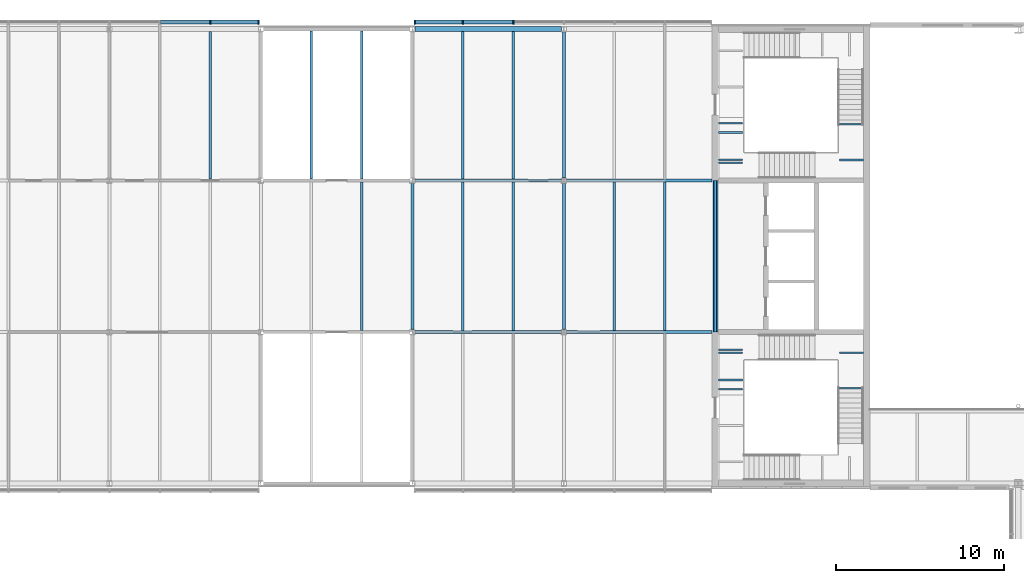
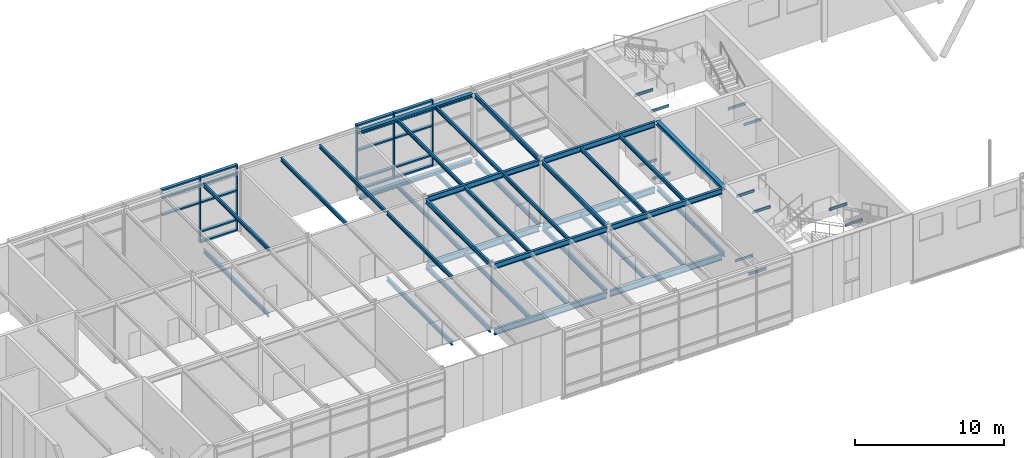
# One storey, part 16 of 46: 48 beams, 23 members, 2 elements without a shape of their own.
"""IFC4 building model written with IfcOpenShell, lengths in metres."""

from ifc_helpers import new_model, si_unit, direction, frame, origin, origin_2d, place, context, subcontext, project, spatial, rectangle, i_section, extrude, material, material_profile, profile_set, type_object, element, aggregate, save


model = new_model("IFC4")

# Units and contexts
model_context = context("Model", 3, precision=1e-05, world=origin(), true_north=direction((0.0, 1.0)))
body_context = subcontext(model_context, "Body", "Model", "MODEL_VIEW")
ifc_project = project(units=[si_unit("LENGTHUNIT", "METRE"), si_unit("AREAUNIT", "SQUARE_METRE"), si_unit("VOLUMEUNIT", "CUBIC_METRE"), si_unit("PLANEANGLEUNIT", "RADIAN"), si_unit("MASSUNIT", "GRAM", prefix="KILO")], contexts=[model_context])

# Site, building, storey
site_placement = place(None, origin())
site = spatial("IfcSite", under=ifc_project, at=site_placement, CompositionType="ELEMENT")
building_placement = place(site_placement, origin())
building = spatial("IfcBuilding", under=site, at=building_placement, Name="Azimuth Sports and Learning Centre", CompositionType="ELEMENT")
storey_placement = place(building_placement, frame((0.0, 0.0, 21.60009765625)))
storey = spatial("IfcBuildingStorey", under=building, at=storey_placement, Name="L04", CompositionType="ELEMENT", Elevation=21.60009765625)

# Beams
ifc_material_1 = material(Name="Steel S355", Category="steel")
ifc_material_profile_1 = material_profile(ifc_material_1, i_section(OverallWidth=0.10009765625, OverallDepth=0.199951171875, WebThickness=0.005615234375, FlangeThickness=0.008544921875, FilletRadius=0.011962890625, at=origin_2d()), Name="IPE 200")
ifc_profile_set_1 = profile_set([ifc_material_profile_1], Name="Steel S355")
beam_type_1 = type_object("IfcBeamType", Name="Beam IPE 200", PredefinedType="BEAM", material=ifc_profile_set_1)
for number, where, z_axis, x_axis, name in (
    (1, (54.199951171875, 96.1474609375, -0.300048828125), (1.0, 0.0, 0.0), (0.0, 1.0, 0.0), "Landing bracket W1 L04 35"),
    (2, (54.199951171875, 97.9423828125, -0.300048828125), (1.0, 0.0, 0.0), (0.0, 1.0, 0.0), "Landing bracket W1 L04 36"),
    (3, (62.800048828125, 95.652587890625, 1.5), (-1.0, 0.0, 0.0), (0.0, -1.0, 0.0), "Landing bracket W1 L04 37"),
    (4, (62.800048828125, 97.777587890625, 1.5), (-1.0, 0.0, 0.0), (0.0, -1.0, 0.0), "Landing bracket W1 L04 38"),
    (5, (54.199951171875, 95.603759765625, 5.099853515625), (1.0, 0.0, 0.0), (0.0, 1.0, 0.0), "Landing bracket W1 L04 44"),
    (6, (54.199951171875, 97.76123046875, 5.099853515625), (1.0, 0.0, 0.0), (0.0, 1.0, 0.0), "Landing bracket W1 L04 45"),
    (7, (54.199951171875, 109.0576171875, -0.300048828125), (1.0, 0.0, 0.0), (0.0, 1.0, 0.0), "Landing bracket W2 L04 213"),
    (8, (54.199951171875, 110.8525390625, -0.300048828125), (1.0, 0.0, 0.0), (0.0, 1.0, 0.0), "Landing bracket W2 L04 214"),
    (9, (62.800048828125, 109.222412109375, 1.5), (-1.0, 0.0, 0.0), (0.0, -1.0, 0.0), "Landing bracket W2 L04 215"),
    (10, (62.800048828125, 111.347412109375, 1.5), (-1.0, 0.0, 0.0), (0.0, -1.0, 0.0), "Landing bracket W2 L04 216"),
    (11, (54.199951171875, 109.23876953125, 5.099853515625), (1.0, 0.0, 0.0), (0.0, 1.0, 0.0), "Landing bracket W2 L04 220"),
    (12, (54.199951171875, 111.396240234375, 5.099853515625), (1.0, 0.0, 0.0), (0.0, 1.0, 0.0), "Landing bracket W2 L04 221"),
):
    element("IfcBeam", number, at=place(storey_placement, frame(where, z_axis=z_axis, x_axis=x_axis)), inside=storey, type_object=beam_type_1, Name=name, PredefinedType="BEAM", context=body_context, shape_type="SweptSolid", body=[
        extrude(i_section(OverallWidth=0.10009765625, OverallDepth=0.199951171875, WebThickness=0.005615234375, FlangeThickness=0.008544921875, FilletRadius=0.011962890625, at=origin_2d()), origin(), (0.0, 0.0, 1.0), 1.41015625),
    ])
ifc_material_2 = material(Name="Steel S355", Category="steel")
ifc_material_profile_2 = material_profile(ifc_material_2, i_section(OverallWidth=0.169921875, OverallDepth=0.360107421875, WebThickness=0.008056640625, FlangeThickness=0.0126953125, FilletRadius=0.01806640625, at=origin_2d()), Name="IPE 360")
ifc_profile_set_2 = profile_set([ifc_material_profile_2], Name="Steel S355")
beam_type_2 = type_object("IfcBeamType", Name="Beam IPE 360", PredefinedType="BEAM", material=ifc_profile_set_2)
for number, where, z_axis, x_axis, name in (
    (13, (36.0, 99.179931640625, -0.330078125), (0.0, 1.0, 0.0), (-1.0, 0.0, 0.0), "Beam L04 WW 22"),
    (14, (45.0, 99.179931640625, -0.330078125), (0.0, 1.0, 0.0), (-1.0, 0.0, 0.0), "Beam L04 WW 24"),
    (15, (45.0, 108.179931640625, -0.330078125), (0.0, 1.0, 0.0), (-1.0, 0.0, 0.0), "Beam L04 WW 25"),
):
    element("IfcBeam", number, at=place(storey_placement, frame(where, z_axis=z_axis, x_axis=x_axis)), inside=storey, type_object=beam_type_2, Name=name, PredefinedType="BEAM", context=body_context, shape_type="SweptSolid", body=[
        extrude(i_section(OverallWidth=0.169921875, OverallDepth=0.360107421875, WebThickness=0.008056640625, FlangeThickness=0.0126953125, FilletRadius=0.01806640625, at=origin_2d()), origin(), (0.0, 0.0, 1.0), 8.64013671875),
    ])
beam_1_placement = place(storey_placement, frame((54.0, 99.0, -0.330078125), z_axis=(0.0, 1.0, 0.0), x_axis=(-1.0, 0.0, 0.0)))
element("IfcBeam", 16, at=beam_1_placement, inside=storey, type_object=beam_type_2, Name="Beam L04 WW 26", PredefinedType="BEAM", context=body_context, shape_type="SweptSolid", body=[
    extrude(i_section(OverallWidth=0.169921875, OverallDepth=0.360107421875, WebThickness=0.008056640625, FlangeThickness=0.0126953125, FilletRadius=0.01806640625, at=origin_2d()), origin(), (0.0, 0.0, 1.0), 9.0),
])
for number, where, z_axis, x_axis, name in (
    (17, (36.0, 99.14990234375, 5.02001953125), (0.0, 1.0, 0.0), (-1.0, 0.0, 0.0), "Beam L04 TE 22"),
    (18, (45.0, 99.14990234375, 5.02001953125), (0.0, 1.0, 0.0), (-1.0, 0.0, 0.0), "Beam L04 TE 24"),
    (19, (45.0, 108.14990234375, 5.02001953125), (0.0, 1.0, 0.0), (-1.0, 0.0, 0.0), "Beam L04 TE 25"),
):
    element("IfcBeam", number, at=place(storey_placement, frame(where, z_axis=z_axis, x_axis=x_axis)), inside=storey, type_object=beam_type_2, Name=name, PredefinedType="BEAM", context=body_context, shape_type="SweptSolid", body=[
        extrude(i_section(OverallWidth=0.169921875, OverallDepth=0.360107421875, WebThickness=0.008056640625, FlangeThickness=0.0126953125, FilletRadius=0.01806640625, at=origin_2d()), origin(), (0.0, 0.0, 1.0), 8.7001953125),
    ])
ifc_material_3 = material(Name="Steel S355", Category="steel")
ifc_material_profile_3 = material_profile(ifc_material_3, i_section(OverallWidth=0.18994140625, OverallDepth=0.449951171875, WebThickness=0.009521484375, FlangeThickness=0.0146484375, FilletRadius=0.02099609375, at=origin_2d()), Name="IPE 450")
ifc_profile_set_3 = profile_set([ifc_material_profile_3], Name="Steel S355")
beam_type_3 = type_object("IfcBeamType", Name="Beam IPE 450", PredefinedType="BEAM", material=ifc_profile_set_3)
beam_2_placement = place(storey_placement, frame((36.14990234375, 99.0, 4.974853515625), z_axis=(1.0, 0.0, 0.0), x_axis=(0.0, 1.0, 0.0)))
element("IfcBeam", 20, at=beam_2_placement, inside=storey, type_object=beam_type_3, Name="Beam L04 TE 7", PredefinedType="BEAM", context=body_context, shape_type="SweptSolid", body=[
    extrude(i_section(OverallWidth=0.18994140625, OverallDepth=0.449951171875, WebThickness=0.009521484375, FlangeThickness=0.0146484375, FilletRadius=0.02099609375, at=origin_2d()), origin(), (0.0, 0.0, 1.0), 8.7001953125),
])
beam_3_placement = place(storey_placement, frame((45.14990234375, 99.0, 4.974853515625), z_axis=(1.0, 0.0, 0.0), x_axis=(0.0, 1.0, 0.0)))
element("IfcBeam", 21, at=beam_3_placement, inside=storey, type_object=beam_type_3, Name="Beam L04 TE 8", PredefinedType="BEAM", context=body_context, shape_type="SweptSolid", body=[
    extrude(i_section(OverallWidth=0.18994140625, OverallDepth=0.449951171875, WebThickness=0.009521484375, FlangeThickness=0.0146484375, FilletRadius=0.02099609375, at=origin_2d()), origin(), (0.0, 0.0, 1.0), 8.650146484375),
])
beam_4_placement = place(storey_placement, frame((36.14990234375, 108.0, 4.974853515625), z_axis=(1.0, 0.0, 0.0), x_axis=(0.0, 1.0, 0.0)))
element("IfcBeam", 22, at=beam_4_placement, inside=storey, type_object=beam_type_3, Name="Beam L04 TE 11", PredefinedType="BEAM", context=body_context, shape_type="SweptSolid", body=[
    extrude(i_section(OverallWidth=0.18994140625, OverallDepth=0.449951171875, WebThickness=0.009521484375, FlangeThickness=0.0146484375, FilletRadius=0.02099609375, at=origin_2d()), origin(), (0.0, 0.0, 1.0), 8.7001953125),
])
beam_5_placement = place(storey_placement, frame((45.14990234375, 108.0, 4.974853515625), z_axis=(1.0, 0.0, 0.0), x_axis=(0.0, 1.0, 0.0)))
element("IfcBeam", 23, at=beam_5_placement, inside=storey, type_object=beam_type_3, Name="Beam L04 TE 12", PredefinedType="BEAM", context=body_context, shape_type="SweptSolid", body=[
    extrude(i_section(OverallWidth=0.18994140625, OverallDepth=0.449951171875, WebThickness=0.009521484375, FlangeThickness=0.0146484375, FilletRadius=0.02099609375, at=origin_2d()), origin(), (0.0, 0.0, 1.0), 8.650146484375),
])
ifc_material_4 = material(Name="Steel S355", Category="steel")
ifc_material_profile_4 = material_profile(ifc_material_4, i_section(OverallWidth=0.199951171875, OverallDepth=0.5, WebThickness=0.01025390625, FlangeThickness=0.01611328125, FilletRadius=0.02099609375, at=origin_2d()), Name="IPE 500")
ifc_profile_set_4 = profile_set([ifc_material_profile_4], Name="Steel S355")
beam_type_4 = type_object("IfcBeamType", Name="Beam IPE 500", PredefinedType="BEAM", material=ifc_profile_set_4)
beam_6_placement = place(storey_placement, frame((36.14990234375, 99.0, -0.400146484375), z_axis=(1.0, 0.0, 0.0), x_axis=(0.0, 1.0, 0.0)))
element("IfcBeam", 24, at=beam_6_placement, inside=storey, type_object=beam_type_4, Name="Beam L04 WW 7", PredefinedType="BEAM", context=body_context, shape_type="SweptSolid", body=[
    extrude(i_section(OverallWidth=0.199951171875, OverallDepth=0.5, WebThickness=0.01025390625, FlangeThickness=0.01611328125, FilletRadius=0.02099609375, at=origin_2d()), origin(), (0.0, 0.0, 1.0), 8.7001953125),
])
beam_7_placement = place(storey_placement, frame((45.14990234375, 99.0, -0.400146484375), z_axis=(1.0, 0.0, 0.0), x_axis=(0.0, 1.0, 0.0)))
element("IfcBeam", 25, at=beam_7_placement, inside=storey, type_object=beam_type_4, Name="Beam L04 WW 8", PredefinedType="BEAM", context=body_context, shape_type="SweptSolid", body=[
    extrude(i_section(OverallWidth=0.199951171875, OverallDepth=0.5, WebThickness=0.01025390625, FlangeThickness=0.01611328125, FilletRadius=0.02099609375, at=origin_2d()), origin(), (0.0, 0.0, 1.0), 8.650146484375),
])
beam_8_placement = place(storey_placement, frame((36.14990234375, 108.0, -0.400146484375), z_axis=(1.0, 0.0, 0.0), x_axis=(0.0, 1.0, 0.0)))
element("IfcBeam", 26, at=beam_8_placement, inside=storey, type_object=beam_type_4, Name="Beam L04 WW 11", PredefinedType="BEAM", context=body_context, shape_type="SweptSolid", body=[
    extrude(i_section(OverallWidth=0.199951171875, OverallDepth=0.5, WebThickness=0.01025390625, FlangeThickness=0.01611328125, FilletRadius=0.02099609375, at=origin_2d()), origin(), (0.0, 0.0, 1.0), 8.7001953125),
])
beam_9_placement = place(storey_placement, frame((45.14990234375, 108.0, -0.400146484375), z_axis=(1.0, 0.0, 0.0), x_axis=(0.0, 1.0, 0.0)))
element("IfcBeam", 27, at=beam_9_placement, inside=storey, type_object=beam_type_4, Name="Beam L04 WW 12", PredefinedType="BEAM", context=body_context, shape_type="SweptSolid", body=[
    extrude(i_section(OverallWidth=0.199951171875, OverallDepth=0.5, WebThickness=0.01025390625, FlangeThickness=0.01611328125, FilletRadius=0.02099609375, at=origin_2d()), origin(), (0.0, 0.0, 1.0), 8.650146484375),
])
ifc_material_5 = material(Name="Steel S355", Category="steel")
ifc_material_profile_5 = material_profile(ifc_material_5, i_section(OverallWidth=0.300048828125, OverallDepth=0.2900390625, WebThickness=0.008544921875, FlangeThickness=0.013916015625, FilletRadius=0.027099609375, at=origin_2d()), Name="HEA 300")
ifc_profile_set_5 = profile_set([ifc_material_profile_5], Name="Steel S355")
beam_type_5 = type_object("IfcBeamType", Name="Edge beam HEA 300", PredefinedType="SPANDREL", material=ifc_profile_set_5)
beam_10_placement = place(storey_placement, frame((36.14990234375, 117.0, 5.054931640625), z_axis=(1.0, 0.0, 0.0), x_axis=(0.0, 1.0, 0.0)))
element("IfcBeam", 28, at=beam_10_placement, inside=storey, type_object=beam_type_5, Name="Edge beam L04 TE 15", PredefinedType="SPANDREL", context=body_context, shape_type="SweptSolid", body=[
    extrude(i_section(OverallWidth=0.300048828125, OverallDepth=0.2900390625, WebThickness=0.008544921875, FlangeThickness=0.013916015625, FilletRadius=0.027099609375, at=origin_2d()), origin(), (0.0, 0.0, 1.0), 8.7001953125),
])
beam_11_placement = place(storey_placement, frame((54.0, 99.0, 5.054931640625), z_axis=(0.0, 1.0, 0.0), x_axis=(-1.0, 0.0, 0.0)))
element("IfcBeam", 29, at=beam_11_placement, inside=storey, type_object=beam_type_5, Name="Edge beam L04 TE 26", PredefinedType="SPANDREL", context=body_context, shape_type="SweptSolid", body=[
    extrude(i_section(OverallWidth=0.300048828125, OverallDepth=0.2900390625, WebThickness=0.008544921875, FlangeThickness=0.013916015625, FilletRadius=0.027099609375, at=origin_2d()), origin(), (0.0, 0.0, 1.0), 9.0),
])
ifc_material_6 = material(Name="Steel S355", Category="steel")
ifc_material_profile_6 = material_profile(ifc_material_6, i_section(OverallWidth=0.300048828125, OverallDepth=0.31005859375, WebThickness=0.009033203125, FlangeThickness=0.015380859375, FilletRadius=0.027099609375, at=origin_2d()), Name="HEA 320")
ifc_profile_set_6 = profile_set([ifc_material_profile_6], Name="Steel S355")
beam_type_6 = type_object("IfcBeamType", Name="Edge beam HEA 320", PredefinedType="SPANDREL", material=ifc_profile_set_6)
beam_12_placement = place(storey_placement, frame((36.14990234375, 117.0, -0.30517578125), z_axis=(1.0, 0.0, 0.0), x_axis=(0.0, 1.0, 0.0)))
element("IfcBeam", 30, at=beam_12_placement, inside=storey, type_object=beam_type_6, Name="Edge beam L04 WW 15", PredefinedType="SPANDREL", context=body_context, shape_type="SweptSolid", body=[
    extrude(i_section(OverallWidth=0.300048828125, OverallDepth=0.31005859375, WebThickness=0.009033203125, FlangeThickness=0.015380859375, FilletRadius=0.027099609375, at=origin_2d()), origin(), (0.0, 0.0, 1.0), 8.7001953125),
])
ifc_material_7 = material(Name="Steel S355", Category="steel")
ifc_material_profile_7 = material_profile(ifc_material_7, i_section(OverallWidth=0.14990234375, OverallDepth=0.300048828125, WebThickness=0.007080078125, FlangeThickness=0.0107421875, FilletRadius=0.014892578125, at=origin_2d()), Name="IPE 300")
ifc_profile_set_7 = profile_set([ifc_material_profile_7], Name="Steel S355")
beam_type_7 = type_object("IfcBeamType", Name="Joist IPE 300", PredefinedType="JOIST", material=ifc_profile_set_7)
beam_13_placement = place(storey_placement, frame((24.0, 108.094970703125, 5.0498046875), z_axis=(0.0, 1.0, 0.0), x_axis=(-1.0, 0.0, 0.0)))
element("IfcBeam", 31, at=beam_13_placement, inside=storey, type_object=beam_type_7, Name="Joist L04 TE 43", PredefinedType="JOIST", context=body_context, shape_type="SweptSolid", body=[
    extrude(i_section(OverallWidth=0.14990234375, OverallDepth=0.300048828125, WebThickness=0.007080078125, FlangeThickness=0.0107421875, FilletRadius=0.014892578125, at=origin_2d()), origin(), (0.0, 0.0, 1.0), 8.755126953125),
])
for number, where, z_axis, x_axis, name in (
    (32, (30.0, 108.10009765625, 5.0498046875), (0.0, 1.0, 0.0), (-1.0, 0.0, 0.0), "Joist L04 TE 46"),
    (33, (33.0, 99.10009765625, 5.0498046875), (0.0, 1.0, 0.0), (-1.0, 0.0, 0.0), "Joist L04 TE 48"),
    (34, (33.0, 108.10009765625, 5.0498046875), (0.0, 1.0, 0.0), (-1.0, 0.0, 0.0), "Joist L04 TE 49"),
):
    element("IfcBeam", number, at=place(storey_placement, frame(where, z_axis=z_axis, x_axis=x_axis)), inside=storey, type_object=beam_type_7, Name=name, PredefinedType="JOIST", context=body_context, shape_type="SweptSolid", body=[
        extrude(i_section(OverallWidth=0.14990234375, OverallDepth=0.300048828125, WebThickness=0.007080078125, FlangeThickness=0.0107421875, FilletRadius=0.014892578125, at=origin_2d()), origin(), (0.0, 0.0, 1.0), 8.7998046875),
    ])
beam_14_placement = place(storey_placement, frame((39.0, 99.094970703125, 5.0498046875), z_axis=(0.0, 1.0, 0.0), x_axis=(-1.0, 0.0, 0.0)))
element("IfcBeam", 35, at=beam_14_placement, inside=storey, type_object=beam_type_7, Name="Joist L04 TE 51", PredefinedType="JOIST", context=body_context, shape_type="SweptSolid", body=[
    extrude(i_section(OverallWidth=0.14990234375, OverallDepth=0.300048828125, WebThickness=0.007080078125, FlangeThickness=0.0107421875, FilletRadius=0.014892578125, at=origin_2d()), origin(), (0.0, 0.0, 1.0), 8.81005859375),
])
beam_15_placement = place(storey_placement, frame((39.0, 108.094970703125, 5.0498046875), z_axis=(0.0, 1.0, 0.0), x_axis=(-1.0, 0.0, 0.0)))
element("IfcBeam", 36, at=beam_15_placement, inside=storey, type_object=beam_type_7, Name="Joist L04 TE 52", PredefinedType="JOIST", context=body_context, shape_type="SweptSolid", body=[
    extrude(i_section(OverallWidth=0.14990234375, OverallDepth=0.300048828125, WebThickness=0.007080078125, FlangeThickness=0.0107421875, FilletRadius=0.014892578125, at=origin_2d()), origin(), (0.0, 0.0, 1.0), 8.755126953125),
])
beam_16_placement = place(storey_placement, frame((42.0, 99.094970703125, 5.0498046875), z_axis=(0.0, 1.0, 0.0), x_axis=(-1.0, 0.0, 0.0)))
element("IfcBeam", 37, at=beam_16_placement, inside=storey, type_object=beam_type_7, Name="Joist L04 TE 54", PredefinedType="JOIST", context=body_context, shape_type="SweptSolid", body=[
    extrude(i_section(OverallWidth=0.14990234375, OverallDepth=0.300048828125, WebThickness=0.007080078125, FlangeThickness=0.0107421875, FilletRadius=0.014892578125, at=origin_2d()), origin(), (0.0, 0.0, 1.0), 8.81005859375),
])
beam_17_placement = place(storey_placement, frame((42.0, 108.094970703125, 5.0498046875), z_axis=(0.0, 1.0, 0.0), x_axis=(-1.0, 0.0, 0.0)))
element("IfcBeam", 38, at=beam_17_placement, inside=storey, type_object=beam_type_7, Name="Joist L04 TE 55", PredefinedType="JOIST", context=body_context, shape_type="SweptSolid", body=[
    extrude(i_section(OverallWidth=0.14990234375, OverallDepth=0.300048828125, WebThickness=0.007080078125, FlangeThickness=0.0107421875, FilletRadius=0.014892578125, at=origin_2d()), origin(), (0.0, 0.0, 1.0), 8.755126953125),
])
for number, where, z_axis, x_axis, name in (
    (39, (48.0, 99.094970703125, 5.0498046875), (0.0, 1.0, 0.0), (-1.0, 0.0, 0.0), "Joist L04 TE 57"),
    (40, (51.0, 99.094970703125, 5.0498046875), (0.0, 1.0, 0.0), (-1.0, 0.0, 0.0), "Joist L04 TE 60"),
):
    element("IfcBeam", number, at=place(storey_placement, frame(where, z_axis=z_axis, x_axis=x_axis)), inside=storey, type_object=beam_type_7, Name=name, PredefinedType="JOIST", context=body_context, shape_type="SweptSolid", body=[
        extrude(i_section(OverallWidth=0.14990234375, OverallDepth=0.300048828125, WebThickness=0.007080078125, FlangeThickness=0.0107421875, FilletRadius=0.014892578125, at=origin_2d()), origin(), (0.0, 0.0, 1.0), 8.81005859375),
    ])
ifc_material_8 = material(Name="Steel S355", Category="steel")
ifc_material_profile_8 = material_profile(ifc_material_8, i_section(OverallWidth=0.159912109375, OverallDepth=0.330078125, WebThickness=0.007568359375, FlangeThickness=0.011474609375, FilletRadius=0.01806640625, at=origin_2d()), Name="IPE 330")
ifc_profile_set_8 = profile_set([ifc_material_profile_8], Name="Steel S355")
beam_type_8 = type_object("IfcBeamType", Name="Joist IPE 330", PredefinedType="JOIST", material=ifc_profile_set_8)
beam_18_placement = place(storey_placement, frame((24.0, 108.10009765625, -0.315185546875), z_axis=(0.0, 1.0, 0.0), x_axis=(-1.0, 0.0, 0.0)))
element("IfcBeam", 41, at=beam_18_placement, inside=storey, type_object=beam_type_8, Name="Joist L04 WW 39", PredefinedType="JOIST", context=body_context, shape_type="SweptSolid", body=[
    extrude(i_section(OverallWidth=0.159912109375, OverallDepth=0.330078125, WebThickness=0.007568359375, FlangeThickness=0.011474609375, FilletRadius=0.01806640625, at=origin_2d()), origin(), (0.0, 0.0, 1.0), 8.75),
])
for number, where, z_axis, x_axis, name in (
    (42, (33.0, 99.10009765625, -0.315185546875), (0.0, 1.0, 0.0), (-1.0, 0.0, 0.0), "Joist L04 WW 41"),
    (43, (39.0, 99.10009765625, -0.315185546875), (0.0, 1.0, 0.0), (-1.0, 0.0, 0.0), "Joist L04 WW 43"),
):
    element("IfcBeam", number, at=place(storey_placement, frame(where, z_axis=z_axis, x_axis=x_axis)), inside=storey, type_object=beam_type_8, Name=name, PredefinedType="JOIST", context=body_context, shape_type="SweptSolid", body=[
        extrude(i_section(OverallWidth=0.159912109375, OverallDepth=0.330078125, WebThickness=0.007568359375, FlangeThickness=0.011474609375, FilletRadius=0.01806640625, at=origin_2d()), origin(), (0.0, 0.0, 1.0), 8.7998046875),
    ])
beam_19_placement = place(storey_placement, frame((39.0, 108.10009765625, -0.315185546875), z_axis=(0.0, 1.0, 0.0), x_axis=(-1.0, 0.0, 0.0)))
element("IfcBeam", 44, at=beam_19_placement, inside=storey, type_object=beam_type_8, Name="Joist L04 WW 44", PredefinedType="JOIST", context=body_context, shape_type="SweptSolid", body=[
    extrude(i_section(OverallWidth=0.159912109375, OverallDepth=0.330078125, WebThickness=0.007568359375, FlangeThickness=0.011474609375, FilletRadius=0.01806640625, at=origin_2d()), origin(), (0.0, 0.0, 1.0), 8.75),
])
beam_20_placement = place(storey_placement, frame((42.0, 99.10009765625, -0.315185546875), z_axis=(0.0, 1.0, 0.0), x_axis=(-1.0, 0.0, 0.0)))
element("IfcBeam", 45, at=beam_20_placement, inside=storey, type_object=beam_type_8, Name="Joist L04 WW 46", PredefinedType="JOIST", context=body_context, shape_type="SweptSolid", body=[
    extrude(i_section(OverallWidth=0.159912109375, OverallDepth=0.330078125, WebThickness=0.007568359375, FlangeThickness=0.011474609375, FilletRadius=0.01806640625, at=origin_2d()), origin(), (0.0, 0.0, 1.0), 8.7998046875),
])
beam_21_placement = place(storey_placement, frame((42.0, 108.10009765625, -0.315185546875), z_axis=(0.0, 1.0, 0.0), x_axis=(-1.0, 0.0, 0.0)))
element("IfcBeam", 46, at=beam_21_placement, inside=storey, type_object=beam_type_8, Name="Joist L04 WW 47", PredefinedType="JOIST", context=body_context, shape_type="SweptSolid", body=[
    extrude(i_section(OverallWidth=0.159912109375, OverallDepth=0.330078125, WebThickness=0.007568359375, FlangeThickness=0.011474609375, FilletRadius=0.01806640625, at=origin_2d()), origin(), (0.0, 0.0, 1.0), 8.75),
])
for number, where, z_axis, x_axis, name in (
    (47, (48.0, 99.10009765625, -0.315185546875), (0.0, 1.0, 0.0), (-1.0, 0.0, 0.0), "Joist L04 WW 49"),
    (48, (51.0, 99.10009765625, -0.315185546875), (0.0, 1.0, 0.0), (-1.0, 0.0, 0.0), "Joist L04 WW 52"),
):
    element("IfcBeam", number, at=place(storey_placement, frame(where, z_axis=z_axis, x_axis=x_axis)), inside=storey, type_object=beam_type_8, Name=name, PredefinedType="JOIST", context=body_context, shape_type="SweptSolid", body=[
        extrude(i_section(OverallWidth=0.159912109375, OverallDepth=0.330078125, WebThickness=0.007568359375, FlangeThickness=0.011474609375, FilletRadius=0.01806640625, at=origin_2d()), origin(), (0.0, 0.0, 1.0), 8.7998046875),
    ])

# Curtain wall, members
ifc_material_9 = material(Name="Aluminium and glass", Category="aluminium")
curtain_wall_type = type_object("IfcCurtainWallType", Name="Curtain wall podium wing 240", PredefinedType="NOTDEFINED", material=ifc_material_9)
curtain_wall_1_placement = place(storey_placement, origin())
curtain_wall_1 = element("IfcCurtainWall", 49, at=curtain_wall_1_placement, inside=storey, type_object=curtain_wall_type, Name="Curtain wall CW04-013", PredefinedType="NOTDEFINED")
ifc_material_10 = material(Name="Aluminium", Category="aluminium")
ifc_material_profile_9 = material_profile(ifc_material_10, rectangle(XDim=0.239990234375, YDim=0.080078125, at=origin_2d()), Name="Mullion 80x240")
ifc_profile_set_9 = profile_set([ifc_material_profile_9], Name="Aluminium")
member_type_1 = type_object("IfcMemberType", Name="Mullion 80x240", PredefinedType="MULLION", material=ifc_profile_set_9)
member_1_placement = place(storey_placement, frame((42.0, 117.419921875, 0.0), z_axis=(0.0, 0.0, 1.0), x_axis=(0.0, -1.0, 0.0)))
member_1 = element("IfcMember", 50, at=member_1_placement, type_object=member_type_1, Name="CW04-013 mullion 5", PredefinedType="MULLION", context=body_context, shape_type="SweptSolid", body=[
    extrude(rectangle(XDim=0.239990234375, YDim=0.080078125, at=origin_2d()), origin(), (0.0, 0.0, 1.0), 5.39990234375),
])
member_2_placement = place(storey_placement, frame((39.0, 117.419921875, 0.0), z_axis=(0.0, 0.0, 1.0), x_axis=(0.0, -1.0, 0.0)))
member_2 = element("IfcMember", 51, at=member_2_placement, type_object=member_type_1, Name="CW04-013 mullion 6", PredefinedType="MULLION", context=body_context, shape_type="SweptSolid", body=[
    extrude(rectangle(XDim=0.239990234375, YDim=0.080078125, at=origin_2d()), origin(), (0.0, 0.0, 1.0), 5.39990234375),
])
member_3_placement = place(storey_placement, frame((36.139892578125, 117.419921875, 0.0), z_axis=(0.0, 0.0, 1.0), x_axis=(0.0, -1.0, 0.0)))
member_3 = element("IfcMember", 52, at=member_3_placement, type_object=member_type_1, Name="CW04-013 mullion 7", PredefinedType="MULLION", context=body_context, shape_type="SweptSolid", body=[
    extrude(rectangle(XDim=0.239990234375, YDim=0.080078125, at=origin_2d()), origin(), (0.0, 0.0, 1.0), 5.39990234375),
])

curtain_wall_2_placement = place(storey_placement, origin())
curtain_wall_2 = element("IfcCurtainWall", 53, at=curtain_wall_2_placement, inside=storey, type_object=curtain_wall_type, Name="Curtain wall CW04-014", PredefinedType="NOTDEFINED")
member_4_placement = place(storey_placement, frame((26.860107421875, 117.419921875, 0.0), z_axis=(0.0, 0.0, 1.0), x_axis=(0.0, -1.0, 0.0)))
member_4 = element("IfcMember", 54, at=member_4_placement, type_object=member_type_1, Name="CW04-014 mullion 1", PredefinedType="MULLION", context=body_context, shape_type="SweptSolid", body=[
    extrude(rectangle(XDim=0.239990234375, YDim=0.080078125, at=origin_2d()), origin(), (0.0, 0.0, 1.0), 5.39990234375),
])
member_5_placement = place(storey_placement, frame((24.0, 117.419921875, 0.0), z_axis=(0.0, 0.0, 1.0), x_axis=(0.0, -1.0, 0.0)))
member_5 = element("IfcMember", 55, at=member_5_placement, type_object=member_type_1, Name="CW04-014 mullion 2", PredefinedType="MULLION", context=body_context, shape_type="SweptSolid", body=[
    extrude(rectangle(XDim=0.239990234375, YDim=0.080078125, at=origin_2d()), origin(), (0.0, 0.0, 1.0), 5.39990234375),
])

# Member
ifc_material_11 = material(Name="Aluminium", Category="aluminium")
ifc_material_profile_10 = material_profile(ifc_material_11, rectangle(XDim=0.239990234375, YDim=0.1201171875, at=origin_2d()), Name="Transom 120x240")
ifc_profile_set_10 = profile_set([ifc_material_profile_10], Name="Aluminium")
member_type_2 = type_object("IfcMemberType", Name="Transom 120x240", PredefinedType="USERDEFINED", material=ifc_profile_set_10)
member_6_placement = place(storey_placement, frame((41.9599609375, 117.419921875, 0.059814453125), z_axis=(-1.0, 0.0, 0.0), x_axis=(0.0, -1.0, 0.0)))
member_6 = element("IfcMember", 56, at=member_6_placement, type_object=member_type_2, Name="CW04-013 transom 5.1", ObjectType="TRANSOM", PredefinedType="USERDEFINED", context=body_context, shape_type="SweptSolid", body=[
    extrude(rectangle(XDim=0.239990234375, YDim=0.1201171875, at=origin_2d()), origin(), (0.0, 0.0, 1.0), 2.919921875),
])

member_7_placement = place(storey_placement, frame((41.9599609375, 117.419921875, 0.89990234375), z_axis=(-1.0, 0.0, 0.0), x_axis=(0.0, -1.0, 0.0)))
member_7 = element("IfcMember", 57, at=member_7_placement, type_object=member_type_2, Name="CW04-013 transom 5.2", ObjectType="TRANSOM", PredefinedType="USERDEFINED", context=body_context, shape_type="SweptSolid", body=[
    extrude(rectangle(XDim=0.239990234375, YDim=0.1201171875, at=origin_2d()), origin(), (0.0, 0.0, 1.0), 2.919921875),
])

member_8_placement = place(storey_placement, frame((41.9599609375, 117.419921875, 3.2998046875), z_axis=(-1.0, 0.0, 0.0), x_axis=(0.0, -1.0, 0.0)))
member_8 = element("IfcMember", 58, at=member_8_placement, type_object=member_type_2, Name="CW04-013 transom 5.3", ObjectType="TRANSOM", PredefinedType="USERDEFINED", context=body_context, shape_type="SweptSolid", body=[
    extrude(rectangle(XDim=0.239990234375, YDim=0.1201171875, at=origin_2d()), origin(), (0.0, 0.0, 1.0), 2.919921875),
])

member_9_placement = place(storey_placement, frame((41.9599609375, 117.419921875, 4.699951171875), z_axis=(-1.0, 0.0, 0.0), x_axis=(0.0, -1.0, 0.0)))
member_9 = element("IfcMember", 59, at=member_9_placement, type_object=member_type_2, Name="CW04-013 transom 5.4", ObjectType="TRANSOM", PredefinedType="USERDEFINED", context=body_context, shape_type="SweptSolid", body=[
    extrude(rectangle(XDim=0.239990234375, YDim=0.1201171875, at=origin_2d()), origin(), (0.0, 0.0, 1.0), 2.919921875),
])

member_10_placement = place(storey_placement, frame((41.9599609375, 117.419921875, 5.33984375), z_axis=(-1.0, 0.0, 0.0), x_axis=(0.0, -1.0, 0.0)))
member_10 = element("IfcMember", 60, at=member_10_placement, type_object=member_type_2, Name="CW04-013 transom 5.5", ObjectType="TRANSOM", PredefinedType="USERDEFINED", context=body_context, shape_type="SweptSolid", body=[
    extrude(rectangle(XDim=0.239990234375, YDim=0.1201171875, at=origin_2d()), origin(), (0.0, 0.0, 1.0), 2.919921875),
])

member_11_placement = place(storey_placement, frame((38.9599609375, 117.419921875, 0.059814453125), z_axis=(-1.0, 0.0, 0.0), x_axis=(0.0, -1.0, 0.0)))
member_11 = element("IfcMember", 61, at=member_11_placement, type_object=member_type_2, Name="CW04-013 transom 6.1", ObjectType="TRANSOM", PredefinedType="USERDEFINED", context=body_context, shape_type="SweptSolid", body=[
    extrude(rectangle(XDim=0.239990234375, YDim=0.1201171875, at=origin_2d()), origin(), (0.0, 0.0, 1.0), 2.780029296875),
])

member_12_placement = place(storey_placement, frame((38.9599609375, 117.419921875, 0.89990234375), z_axis=(-1.0, 0.0, 0.0), x_axis=(0.0, -1.0, 0.0)))
member_12 = element("IfcMember", 62, at=member_12_placement, type_object=member_type_2, Name="CW04-013 transom 6.2", ObjectType="TRANSOM", PredefinedType="USERDEFINED", context=body_context, shape_type="SweptSolid", body=[
    extrude(rectangle(XDim=0.239990234375, YDim=0.1201171875, at=origin_2d()), origin(), (0.0, 0.0, 1.0), 2.780029296875),
])

member_13_placement = place(storey_placement, frame((38.9599609375, 117.419921875, 3.2998046875), z_axis=(-1.0, 0.0, 0.0), x_axis=(0.0, -1.0, 0.0)))
member_13 = element("IfcMember", 63, at=member_13_placement, type_object=member_type_2, Name="CW04-013 transom 6.3", ObjectType="TRANSOM", PredefinedType="USERDEFINED", context=body_context, shape_type="SweptSolid", body=[
    extrude(rectangle(XDim=0.239990234375, YDim=0.1201171875, at=origin_2d()), origin(), (0.0, 0.0, 1.0), 2.780029296875),
])

member_14_placement = place(storey_placement, frame((38.9599609375, 117.419921875, 4.699951171875), z_axis=(-1.0, 0.0, 0.0), x_axis=(0.0, -1.0, 0.0)))
member_14 = element("IfcMember", 64, at=member_14_placement, type_object=member_type_2, Name="CW04-013 transom 6.4", ObjectType="TRANSOM", PredefinedType="USERDEFINED", context=body_context, shape_type="SweptSolid", body=[
    extrude(rectangle(XDim=0.239990234375, YDim=0.1201171875, at=origin_2d()), origin(), (0.0, 0.0, 1.0), 2.780029296875),
])

member_15_placement = place(storey_placement, frame((38.9599609375, 117.419921875, 5.33984375), z_axis=(-1.0, 0.0, 0.0), x_axis=(0.0, -1.0, 0.0)))
member_15 = element("IfcMember", 65, at=member_15_placement, type_object=member_type_2, Name="CW04-013 transom 6.5", ObjectType="TRANSOM", PredefinedType="USERDEFINED", context=body_context, shape_type="SweptSolid", body=[
    extrude(rectangle(XDim=0.239990234375, YDim=0.1201171875, at=origin_2d()), origin(), (0.0, 0.0, 1.0), 2.780029296875),
])

aggregate(curtain_wall_1, [member_1, member_2, member_3, member_6, member_7, member_8, member_9, member_10, member_11, member_12, member_13, member_14, member_15])

member_16_placement = place(storey_placement, frame((26.820068359375, 117.419921875, 0.059814453125), z_axis=(-1.0, 0.0, 0.0), x_axis=(0.0, -1.0, 0.0)))
member_16 = element("IfcMember", 66, at=member_16_placement, type_object=member_type_2, Name="CW04-014 transom 1.1", ObjectType="TRANSOM", PredefinedType="USERDEFINED", context=body_context, shape_type="SweptSolid", body=[
    extrude(rectangle(XDim=0.239990234375, YDim=0.1201171875, at=origin_2d()), origin(), (0.0, 0.0, 1.0), 2.780029296875),
])

member_17_placement = place(storey_placement, frame((26.820068359375, 117.419921875, 0.89990234375), z_axis=(-1.0, 0.0, 0.0), x_axis=(0.0, -1.0, 0.0)))
member_17 = element("IfcMember", 67, at=member_17_placement, type_object=member_type_2, Name="CW04-014 transom 1.2", ObjectType="TRANSOM", PredefinedType="USERDEFINED", context=body_context, shape_type="SweptSolid", body=[
    extrude(rectangle(XDim=0.239990234375, YDim=0.1201171875, at=origin_2d()), origin(), (0.0, 0.0, 1.0), 2.780029296875),
])

member_18_placement = place(storey_placement, frame((26.820068359375, 117.419921875, 3.2998046875), z_axis=(-1.0, 0.0, 0.0), x_axis=(0.0, -1.0, 0.0)))
member_18 = element("IfcMember", 68, at=member_18_placement, type_object=member_type_2, Name="CW04-014 transom 1.3", ObjectType="TRANSOM", PredefinedType="USERDEFINED", context=body_context, shape_type="SweptSolid", body=[
    extrude(rectangle(XDim=0.239990234375, YDim=0.1201171875, at=origin_2d()), origin(), (0.0, 0.0, 1.0), 2.780029296875),
])

member_19_placement = place(storey_placement, frame((26.820068359375, 117.419921875, 4.699951171875), z_axis=(-1.0, 0.0, 0.0), x_axis=(0.0, -1.0, 0.0)))
member_19 = element("IfcMember", 69, at=member_19_placement, type_object=member_type_2, Name="CW04-014 transom 1.4", ObjectType="TRANSOM", PredefinedType="USERDEFINED", context=body_context, shape_type="SweptSolid", body=[
    extrude(rectangle(XDim=0.239990234375, YDim=0.1201171875, at=origin_2d()), origin(), (0.0, 0.0, 1.0), 2.780029296875),
])

member_20_placement = place(storey_placement, frame((26.820068359375, 117.419921875, 5.33984375), z_axis=(-1.0, 0.0, 0.0), x_axis=(0.0, -1.0, 0.0)))
member_20 = element("IfcMember", 70, at=member_20_placement, type_object=member_type_2, Name="CW04-014 transom 1.5", ObjectType="TRANSOM", PredefinedType="USERDEFINED", context=body_context, shape_type="SweptSolid", body=[
    extrude(rectangle(XDim=0.239990234375, YDim=0.1201171875, at=origin_2d()), origin(), (0.0, 0.0, 1.0), 2.780029296875),
])

member_21_placement = place(storey_placement, frame((23.9599609375, 117.419921875, 3.2998046875), z_axis=(-1.0, 0.0, 0.0), x_axis=(0.0, -1.0, 0.0)))
member_21 = element("IfcMember", 71, at=member_21_placement, type_object=member_type_2, Name="CW04-014 transom 2.3", ObjectType="TRANSOM", PredefinedType="USERDEFINED", context=body_context, shape_type="SweptSolid", body=[
    extrude(rectangle(XDim=0.239990234375, YDim=0.1201171875, at=origin_2d()), origin(), (0.0, 0.0, 1.0), 2.919921875),
])

member_22_placement = place(storey_placement, frame((23.9599609375, 117.419921875, 4.699951171875), z_axis=(-1.0, 0.0, 0.0), x_axis=(0.0, -1.0, 0.0)))
member_22 = element("IfcMember", 72, at=member_22_placement, type_object=member_type_2, Name="CW04-014 transom 2.4", ObjectType="TRANSOM", PredefinedType="USERDEFINED", context=body_context, shape_type="SweptSolid", body=[
    extrude(rectangle(XDim=0.239990234375, YDim=0.1201171875, at=origin_2d()), origin(), (0.0, 0.0, 1.0), 2.919921875),
])

member_23_placement = place(storey_placement, frame((23.9599609375, 117.419921875, 5.33984375), z_axis=(-1.0, 0.0, 0.0), x_axis=(0.0, -1.0, 0.0)))
member_23 = element("IfcMember", 73, at=member_23_placement, type_object=member_type_2, Name="CW04-014 transom 2.5", ObjectType="TRANSOM", PredefinedType="USERDEFINED", context=body_context, shape_type="SweptSolid", body=[
    extrude(rectangle(XDim=0.239990234375, YDim=0.1201171875, at=origin_2d()), origin(), (0.0, 0.0, 1.0), 2.919921875),
])

aggregate(curtain_wall_2, [member_4, member_5, member_16, member_17, member_18, member_19, member_20, member_21, member_22, member_23])

save(model, "model.ifc")
